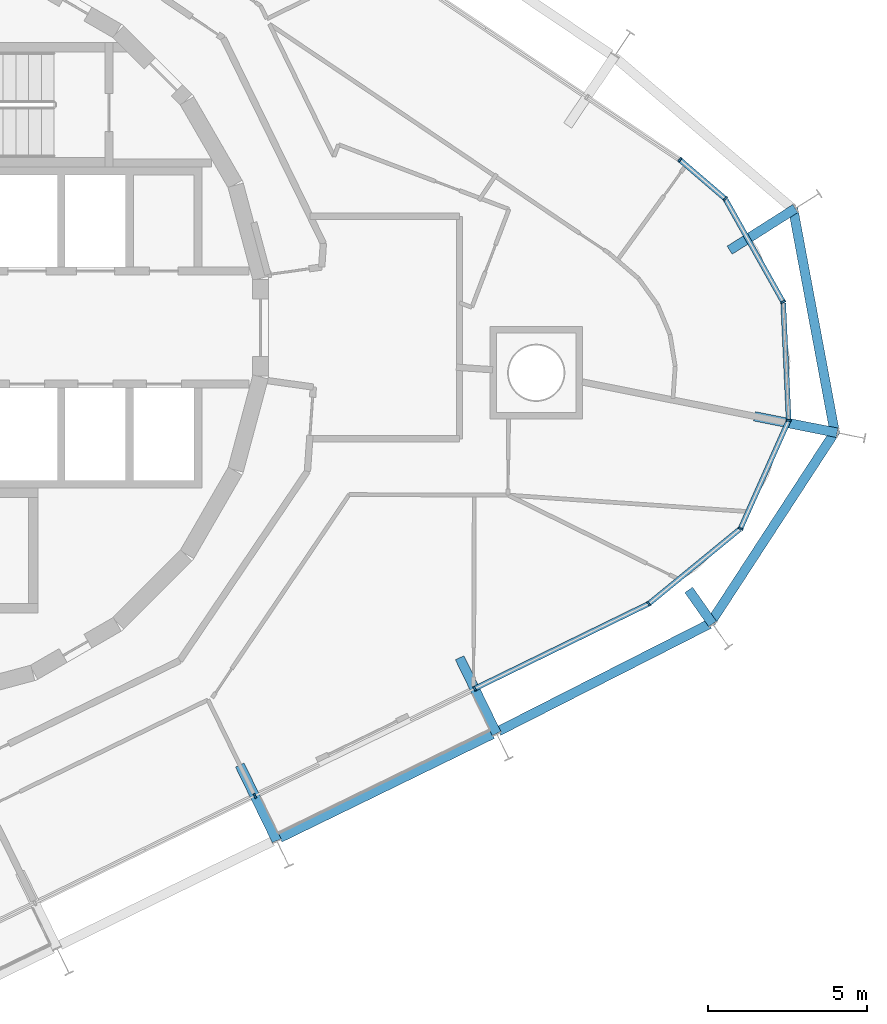
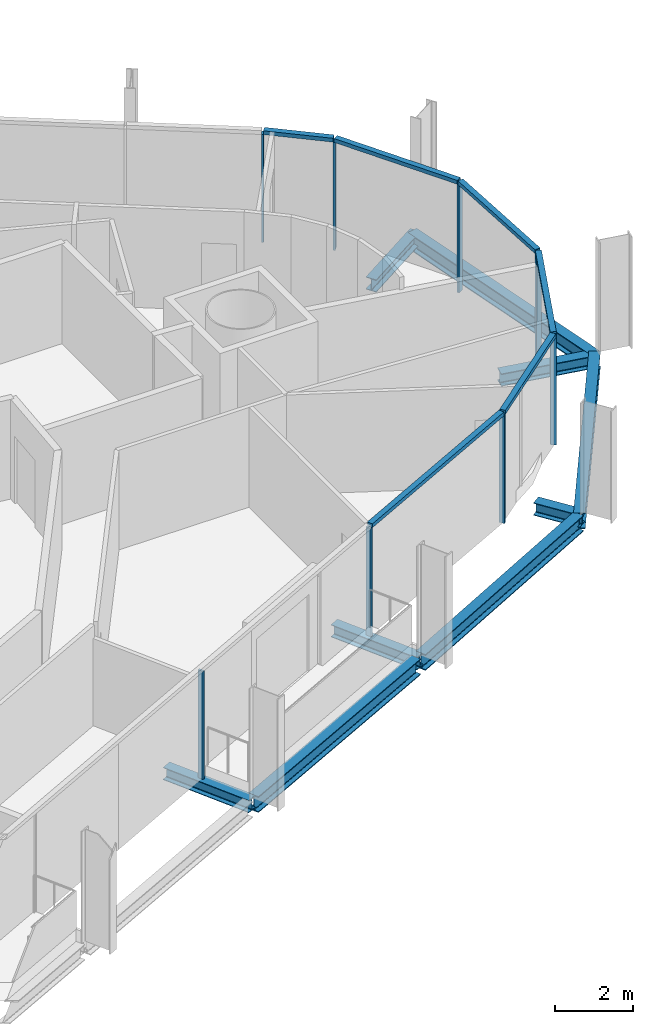
# One storey, part 5 of 18: 14 members, 9 beams, 2 elements without a shape of their own.
"""IFC4 building model written with IfcOpenShell, lengths in metres."""

import ifcopenshell
import ifcopenshell.guid

model = None  # the IFC model being written
_history = None  # IfcOwnerHistory: only IFC2X3 demands one
_inside = {}  # id of a spatial element -> (the spatial element, [elements in it])
_under = {}  # id of a project, library or spatial element -> (it, [spatial elements below it])
_declared = {}  # id of a project -> (the project, [libraries it declares])
_typed = {}  # id of a type object -> (the type object, [elements of that type])
_made_of = {}  # id of a material, layer set ... -> (it, [elements and type objects made of it])


def new_model(schema):
    """Start an empty IFC model of exactly this schema.

    Asked for "IFC4X3", IfcOpenShell would pick the latest addendum, in which some entities
    have other attributes; the version numbers below select the first issue.
    IFC2X3 requires an IfcOwnerHistory on every rooted entity: one is made here for all.
    """
    global model, _history
    if schema == "IFC4X3":
        model = ifcopenshell.file(schema_version=(4, 3, 0, 0))
    else:
        model = ifcopenshell.file(schema=schema)
    _inside.clear()
    _under.clear()
    _declared.clear()
    _typed.clear()
    _made_of.clear()
    _history = None
    if model.schema == "IFC2X3":
        org = make("IfcOrganization", Name="unknown")
        user = make(
            "IfcPersonAndOrganization",
            ThePerson=make("IfcPerson", FamilyName="unknown"),
            TheOrganization=org,
        )
        app = make(
            "IfcApplication",
            ApplicationDeveloper=org,
            Version="unknown",
            ApplicationFullName="unknown",
            ApplicationIdentifier="unknown",
        )
        _history = make(
            "IfcOwnerHistory",
            OwningUser=user,
            OwningApplication=app,
            ChangeAction="ADDED",
            CreationDate=0,
        )
    return model


def make(cls, **values):
    """One entity of the class cls with the attributes given. An attribute that is None is left unset."""
    return model.create_entity(
        cls, **{name: value for name, value in values.items() if value is not None}
    )


def rooted(cls, **values):
    """An entity with a GlobalId (a new one), such as an element, a storey or a relation."""
    return make(cls, GlobalId=ifcopenshell.guid.new(), OwnerHistory=_history, **values)


def si_unit(unit_type, name, prefix=None):
    """IfcSIUnit, for example si_unit("LENGTHUNIT", "METRE", prefix="MILLI")."""
    return make("IfcSIUnit", UnitType=unit_type, Prefix=prefix, Name=name)


def assignment(units):
    """IfcUnitAssignment: the units of a project."""
    return None if units is None else make("IfcUnitAssignment", Units=units)


def point(xyz):
    """IfcCartesianPoint."""
    return None if xyz is None else make("IfcCartesianPoint", Coordinates=xyz)


def direction(xyz):
    """IfcDirection."""
    return None if xyz is None else make("IfcDirection", DirectionRatios=xyz)


def frame(location, z_axis=None, x_axis=None):
    """IfcAxis2Placement3D, a coordinate frame: its origin and axes. An axis left out is left unset."""
    return make(
        "IfcAxis2Placement3D",
        Location=point(location),
        Axis=direction(z_axis),
        RefDirection=direction(x_axis),
    )


def frame_2d(location, x_axis=None):
    """IfcAxis2Placement2D, a coordinate frame in the plane: its origin and x axis."""
    return make(
        "IfcAxis2Placement2D", Location=point(location), RefDirection=direction(x_axis)
    )


def origin():
    """The frame at (0, 0, 0) with its axes left unset."""
    return frame((0.0, 0.0, 0.0))


def origin_2d():
    """The frame at (0, 0) in the plane with its x axis left unset."""
    return frame_2d((0.0, 0.0))


def place(relative_to, where):
    """IfcLocalPlacement: puts the frame where relative to a parent placement (None: the world)."""
    return make(
        "IfcLocalPlacement", PlacementRelTo=relative_to, RelativePlacement=where
    )


def context(
    kind, dimensions, precision=None, world=None, true_north=None, identifier=None
):
    """IfcGeometricRepresentationContext, for example the 3D "Model" context."""
    return make(
        "IfcGeometricRepresentationContext",
        ContextIdentifier=identifier,
        ContextType=kind,
        CoordinateSpaceDimension=dimensions,
        Precision=precision,
        WorldCoordinateSystem=world,
        TrueNorth=true_north,
    )


def subcontext(parent, identifier, kind, view, scale=None):
    """IfcGeometricRepresentationSubContext, for example "Body" below "Model"."""
    return make(
        "IfcGeometricRepresentationSubContext",
        ContextIdentifier=identifier,
        ContextType=kind,
        ParentContext=parent,
        TargetScale=scale,
        TargetView=view,
    )


def project(units=None, contexts=None):
    """IfcProject with its units and contexts."""
    return rooted(
        "IfcProject",
        Name="project",
        RepresentationContexts=contexts,
        UnitsInContext=assignment(units),
    )


def spatial(cls, under=None, at=None, **own):
    """A site, building, storey or space (cls), placed at a placement, below another one or the project."""
    s = rooted(cls, ObjectPlacement=at, **own)
    if under is not None:
        _under.setdefault(under.id(), (under, []))[1].append(s)
    return s


def profile(cls, at=None, kind="AREA", **sizes):
    """A parametric profile (cls). Its sizes go by their IFC names, for example OverallWidth=200.0."""
    return make(cls, ProfileType=kind, Position=at, **sizes)


def rectangle(**sizes):
    """IfcRectangleProfileDef."""
    return profile("IfcRectangleProfileDef", **sizes)


def i_section(**sizes):
    """IfcIShapeProfileDef."""
    return profile("IfcIShapeProfileDef", **sizes)


def extrude(swept, where, along, depth):
    """IfcExtrudedAreaSolid: the profile swept, set in the frame where, extruded along a direction by depth."""
    return make(
        "IfcExtrudedAreaSolid",
        SweptArea=swept,
        Position=where,
        ExtrudedDirection=direction(along),
        Depth=depth,
    )


def shape(context_of_items, identifier, shape_type, items):
    """IfcShapeRepresentation: the items that make up one representation, for example the "Body"."""
    return make(
        "IfcShapeRepresentation",
        ContextOfItems=context_of_items,
        RepresentationIdentifier=identifier,
        RepresentationType=shape_type,
        Items=items,
    )


def material(Name=None, Category=None):
    """IfcMaterial."""
    return make("IfcMaterial", Name=Name, Category=Category)


def layer(
    of_material, thickness, ventilated=None, Name=None, Category=None, Priority=None
):
    """IfcMaterialLayer: one layer of a wall or slab, of a material (None: an air gap)."""
    return make(
        "IfcMaterialLayer",
        Material=of_material,
        LayerThickness=thickness,
        IsVentilated=ventilated,
        Name=Name,
        Category=Category,
        Priority=Priority,
    )


def layer_set(layers, Name=None):
    """IfcMaterialLayerSet."""
    return make("IfcMaterialLayerSet", MaterialLayers=layers, LayerSetName=Name)


def material_profile(
    of_material, cross_section, Name=None, Category=None, Priority=None
):
    """IfcMaterialProfile: a cross section and its material."""
    return make(
        "IfcMaterialProfile",
        Name=Name,
        Material=of_material,
        Profile=cross_section,
        Priority=Priority,
        Category=Category,
    )


def profile_set(profiles, Name=None, composite=None):
    """IfcMaterialProfileSet."""
    return make(
        "IfcMaterialProfileSet",
        Name=Name,
        MaterialProfiles=profiles,
        CompositeProfile=composite,
    )


def made_of(thing, what):
    """Note that an element or type object is made of a material, layer set ...; save() writes the relation."""
    if what is not None:
        _made_of.setdefault(what.id(), (what, []))[1].append(thing)
    return thing


def type_object(cls, material=None, **own):
    """A type object (cls), such as IfcWallType, which elements share."""
    return made_of(rooted(cls, **own), material)


def element(
    cls,
    number,
    at=None,
    inside=None,
    cuts=None,
    type_object=None,
    material=None,
    context=None,
    identifier="Body",
    shape_type=None,
    held_by="IfcProductDefinitionShape",
    body=None,
    shapes=None,
    **own,
):
    """One element of the class cls, such as IfcWall. Its Tag is "e" and its number.

    at: its placement. inside: the storey or other place that contains it. cuts: it is an
    opening in that element (IfcRelVoidsElement). A single representation is given by context,
    identifier, shape_type and body (its items); several are given by shapes. held_by: the class
    of the entity that holds the representations. save() writes the other relations.
    """
    e = rooted(cls, Tag="e%d" % number, ObjectPlacement=at, **own)
    if body is not None:
        shapes = [shape(context, identifier, shape_type, body)]
    if shapes is not None:
        e.Representation = make(held_by, Representations=shapes)
    if inside is not None:
        _inside.setdefault(inside.id(), (inside, []))[1].append(e)
    if cuts is not None:
        rooted(
            "IfcRelVoidsElement", RelatingBuildingElement=cuts, RelatedOpeningElement=e
        )
    if type_object is not None:
        _typed.setdefault(type_object.id(), (type_object, []))[1].append(e)
    return made_of(e, material)


def aggregate(whole, parts):
    """IfcRelAggregates: a whole, such as a stair, and the parts it consists of."""
    return rooted("IfcRelAggregates", RelatingObject=whole, RelatedObjects=parts)


def save(model, path):
    """Write the relations noted so far, then the file.

    IfcRelAggregates (storeys below a building ...), IfcRelContainedInSpatialStructure (elements
    in a storey), IfcRelDefinesByType, IfcRelAssociatesMaterial and IfcRelDeclares: one each for
    every whole, place, type object, material and project.
    """
    for whole, parts in _under.values():
        aggregate(whole, parts)
    for where, things in _inside.values():
        rooted(
            "IfcRelContainedInSpatialStructure",
            RelatedElements=things,
            RelatingStructure=where,
        )
    for kind, things in _typed.values():
        rooted("IfcRelDefinesByType", RelatedObjects=things, RelatingType=kind)
    for what, things in _made_of.values():
        rooted("IfcRelAssociatesMaterial", RelatedObjects=things, RelatingMaterial=what)
    for by, libraries in _declared.values():
        rooted("IfcRelDeclares", RelatingContext=by, RelatedDefinitions=libraries)
    model.write(path)


model = new_model("IFC4")

# Units and contexts
model_context = context("Model", 3, precision=1e-05, world=origin(), true_north=direction((0.0, 1.0)))
body_context = subcontext(model_context, "Body", "Model", "MODEL_VIEW")
ifc_project = project(units=[si_unit("LENGTHUNIT", "METRE"), si_unit("AREAUNIT", "SQUARE_METRE"), si_unit("VOLUMEUNIT", "CUBIC_METRE"), si_unit("PLANEANGLEUNIT", "RADIAN"), si_unit("MASSUNIT", "GRAM", prefix="KILO")], contexts=[model_context])

# Site, building, storey
site_placement = place(None, origin())
site = spatial("IfcSite", under=ifc_project, at=site_placement, CompositionType="ELEMENT")
building_placement = place(site_placement, origin())
building = spatial("IfcBuilding", under=site, at=building_placement, Name="Spindle Arch Residences", CompositionType="ELEMENT")
storey_placement = place(building_placement, frame((0.0, 0.0, 195.39990234375)))
storey = spatial("IfcBuildingStorey", under=building, at=storey_placement, Name="L49", CompositionType="ELEMENT", Elevation=195.39990234375)

# Curtain wall, members
ifc_material_1 = material(Name="Aluminium bronze unitised frame with tinted glass", Category="aluminium")
ifc_layer_1 = layer(ifc_material_1, 0.159912109375)
ifc_layer_set_1 = layer_set([ifc_layer_1], Name="CW-D corner wall on the fillet arcs")
curtain_wall_type_1 = type_object("IfcCurtainWallType", Name="CW-D corner wall on the fillet arcs", PredefinedType="NOTDEFINED", material=ifc_layer_set_1)
curtain_wall_1_placement = place(storey_placement, origin())
curtain_wall_1 = element("IfcCurtainWall", 1, at=curtain_wall_1_placement, inside=storey, type_object=curtain_wall_type_1, Name="CW-D L49 run 1", PredefinedType="NOTDEFINED")
ifc_material_2 = material(Name="Aluminium bronze anodised mullion", Category="aluminium")
ifc_material_profile_1 = material_profile(ifc_material_2, rectangle(XDim=0.159912109375, YDim=0.06005859375, at=origin_2d()), Name="MU 60x160")
ifc_profile_set_1 = profile_set([ifc_material_profile_1], Name="Aluminium bronze anodised mullion")
member_type_1 = type_object("IfcMemberType", Name="Bronze mullion 60x160", PredefinedType="MULLION", material=ifc_profile_set_1)
member_1_placement = place(storey_placement, frame((18.377685546875, -11.353515625, -0.3798828125), z_axis=(0.0, 0.0, 1.0), x_axis=(-0.438371146789, 0.898794046299, 0.0)))
member_1 = element("IfcMember", 2, at=member_1_placement, type_object=member_type_1, Name="CW-D mullion 00", PredefinedType="MULLION", context=body_context, shape_type="SweptSolid", body=[
    extrude(rectangle(XDim=0.159912109375, YDim=0.06005859375, at=origin_2d()), origin(), (0.0, 0.0, 1.0), 3.3798828125),
])
member_2_placement = place(storey_placement, frame((23.85400390625, -8.6826171875, -0.3798828125), z_axis=(0.0, 0.0, 1.0), x_axis=(-0.633830963722, 0.773471595747, 0.0)))
member_2 = element("IfcMember", 3, at=member_2_placement, type_object=member_type_1, Name="CW-D mullion 01", PredefinedType="MULLION", context=body_context, shape_type="SweptSolid", body=[
    extrude(rectangle(XDim=0.159912109375, YDim=0.06005859375, at=origin_2d()), origin(), (0.0, 0.0, 1.0), 3.3798828125),
])
member_3_placement = place(storey_placement, frame((26.736572265625, -6.320556640625, -0.3798828125), z_axis=(0.0, 0.0, 1.0), x_axis=(-0.913545457934, 0.406736642422, 0.0)))
member_3 = element("IfcMember", 4, at=member_3_placement, type_object=member_type_1, Name="CW-D mullion 02", PredefinedType="MULLION", context=body_context, shape_type="SweptSolid", body=[
    extrude(rectangle(XDim=0.159912109375, YDim=0.06005859375, at=origin_2d()), origin(), (0.0, 0.0, 1.0), 3.3798828125),
])
member_4_placement = place(storey_placement, frame((28.252197265625, -2.916015625, -0.3798828125), z_axis=(0.0, 0.0, 1.0), x_axis=(-0.99891711126, -0.046525313877, 0.0)))
member_4 = element("IfcMember", 5, at=member_4_placement, type_object=member_type_1, Name="CW-D mullion 03", PredefinedType="MULLION", context=body_context, shape_type="SweptSolid", body=[
    extrude(rectangle(XDim=0.159912109375, YDim=0.06005859375, at=origin_2d()), origin(), (0.0, 0.0, 1.0), 3.3798828125),
])
member_5_placement = place(storey_placement, frame((28.078857421875, 0.806884765625, -0.3798828125), z_axis=(0.0, 0.0, 1.0), x_axis=(-0.871784414743, -0.489889716377, 0.0)))
member_5 = element("IfcMember", 6, at=member_5_placement, type_object=member_type_1, Name="CW-D mullion 04", PredefinedType="MULLION", context=body_context, shape_type="SweptSolid", body=[
    extrude(rectangle(XDim=0.159912109375, YDim=0.06005859375, at=origin_2d()), origin(), (0.0, 0.0, 1.0), 3.3798828125),
])
member_6_placement = place(storey_placement, frame((26.253173828125, 4.0556640625, -0.3798828125), z_axis=(0.0, 0.0, 1.0), x_axis=(-0.651657229382, -0.758513582867, 0.0)))
member_6 = element("IfcMember", 7, at=member_6_placement, type_object=member_type_1, Name="CW-D mullion 05", PredefinedType="MULLION", context=body_context, shape_type="SweptSolid", body=[
    extrude(rectangle(XDim=0.159912109375, YDim=0.06005859375, at=origin_2d()), origin(), (0.0, 0.0, 1.0), 3.3798828125),
])
member_7_placement = place(storey_placement, frame((24.830078125, 5.2783203125, -0.3798828125), z_axis=(0.0, 0.0, 1.0), x_axis=(-0.559192903471, -0.829037572555, 0.0)))
member_7 = element("IfcMember", 8, at=member_7_placement, type_object=member_type_1, Name="CW-D mullion 06", PredefinedType="MULLION", context=body_context, shape_type="SweptSolid", body=[
    extrude(rectangle(XDim=0.159912109375, YDim=0.06005859375, at=origin_2d()), origin(), (0.0, 0.0, 1.0), 3.3798828125),
])

# Curtain wall, member
ifc_material_3 = material(Name="Aluminium bronze unitised frame with tinted glass", Category="aluminium")
ifc_layer_2 = layer(ifc_material_3, 0.159912109375)
ifc_layer_set_2 = layer_set([ifc_layer_2], Name="CW-C typical residential unitised wall")
curtain_wall_type_2 = type_object("IfcCurtainWallType", Name="CW-C typical residential unitised wall", PredefinedType="NOTDEFINED", material=ifc_layer_set_2)
curtain_wall_2_placement = place(storey_placement, origin())
curtain_wall_2 = element("IfcCurtainWall", 9, at=curtain_wall_2_placement, inside=storey, type_object=curtain_wall_type_2, Name="CW-C L49 run 6", PredefinedType="NOTDEFINED")
member_8_placement = place(storey_placement, frame((11.46240234375, -14.726318359375, -0.3798828125), z_axis=(0.0, 0.0, 1.0), x_axis=(-0.438371146789, 0.898794046299, 0.0)))
member_8 = element("IfcMember", 10, at=member_8_placement, type_object=member_type_1, Name="CW-C mullion 00", PredefinedType="MULLION", context=body_context, shape_type="SweptSolid", body=[
    extrude(rectangle(XDim=0.159912109375, YDim=0.06005859375, at=origin_2d()), origin(), (0.0, 0.0, 1.0), 3.3798828125),
])
aggregate(curtain_wall_2, [member_8])

# Member
ifc_material_4 = material(Name="Aluminium bronze anodised transom", Category="aluminium")
ifc_material_profile_2 = material_profile(ifc_material_4, rectangle(XDim=0.159912109375, YDim=0.1201171875, at=origin_2d()), Name="TR 120x160")
ifc_profile_set_2 = profile_set([ifc_material_profile_2], Name="Aluminium bronze anodised transom")
member_type_2 = type_object("IfcMemberType", Name="Bronze transom 120x160", PredefinedType="USERDEFINED", material=ifc_profile_set_2)
member_9_placement = place(storey_placement, frame((18.404541015625, -11.340576171875, 3.06005859375), z_axis=(0.898786724344, 0.438386158704, 0.0), x_axis=(-0.438386158704, 0.898786724344, 0.0)))
member_9 = element("IfcMember", 11, at=member_9_placement, type_object=member_type_2, Name="CW-D transom 00", ObjectType="TRANSOM", PredefinedType="USERDEFINED", context=body_context, shape_type="SweptSolid", body=[
    extrude(rectangle(XDim=0.159912109375, YDim=0.1201171875, at=origin_2d()), origin(), (0.0, 0.0, 1.0), 6.032958984375),
])

member_10_placement = place(storey_placement, frame((23.877197265625, -8.66357421875, 3.06005859375), z_axis=(0.773494307947, 0.633803246737, 0.0), x_axis=(-0.633803246737, 0.773494307947, 0.0)))
member_10 = element("IfcMember", 12, at=member_10_placement, type_object=member_type_2, Name="CW-D transom 01", ObjectType="TRANSOM", PredefinedType="USERDEFINED", context=body_context, shape_type="SweptSolid", body=[
    extrude(rectangle(XDim=0.159912109375, YDim=0.1201171875, at=origin_2d()), origin(), (0.0, 0.0, 1.0), 3.666748046875),
])

member_11_placement = place(storey_placement, frame((26.748779296875, -6.29296875, 3.06005859375), z_axis=(0.406706770356, 0.913558757249, 0.0), x_axis=(-0.913558757249, 0.406706770356, 0.0)))
member_11 = element("IfcMember", 13, at=member_11_placement, type_object=member_type_2, Name="CW-D transom 02", ObjectType="TRANSOM", PredefinedType="USERDEFINED", context=body_context, shape_type="SweptSolid", body=[
    extrude(rectangle(XDim=0.159912109375, YDim=0.1201171875, at=origin_2d()), origin(), (0.0, 0.0, 1.0), 3.66650390625),
])

member_12_placement = place(storey_placement, frame((28.2509765625, -2.885986328125, 3.06005859375), z_axis=(-0.046540197037, 0.998916417955, 0.0), x_axis=(-0.998916417955, -0.046540197037, 0.0)))
member_12 = element("IfcMember", 14, at=member_12_placement, type_object=member_type_2, Name="CW-D transom 03", ObjectType="TRANSOM", PredefinedType="USERDEFINED", context=body_context, shape_type="SweptSolid", body=[
    extrude(rectangle(XDim=0.159912109375, YDim=0.1201171875, at=origin_2d()), origin(), (0.0, 0.0, 1.0), 3.666748046875),
])

member_13_placement = place(storey_placement, frame((28.064208984375, 0.8330078125, 3.06005859375), z_axis=(-0.489916630118, 0.871769290314, 0.0), x_axis=(-0.871769290314, -0.489916630118, 0.0)))
member_13 = element("IfcMember", 15, at=member_13_placement, type_object=member_type_2, Name="CW-D transom 04", ObjectType="TRANSOM", PredefinedType="USERDEFINED", context=body_context, shape_type="SweptSolid", body=[
    extrude(rectangle(XDim=0.159912109375, YDim=0.1201171875, at=origin_2d()), origin(), (0.0, 0.0, 1.0), 3.666748046875),
])

member_14_placement = place(storey_placement, frame((26.23046875, 4.0751953125, 3.06005859375), z_axis=(-0.758458936913, 0.651720830584, 0.0), x_axis=(-0.651720830584, -0.758458936913, 0.0)))
member_14 = element("IfcMember", 16, at=member_14_placement, type_object=member_type_2, Name="CW-D transom 05", ObjectType="TRANSOM", PredefinedType="USERDEFINED", context=body_context, shape_type="SweptSolid", body=[
    extrude(rectangle(XDim=0.159912109375, YDim=0.1201171875, at=origin_2d()), origin(), (0.0, 0.0, 1.0), 1.816162109375),
])

aggregate(curtain_wall_1, [member_1, member_9, member_2, member_10, member_3, member_11, member_4, member_12, member_5, member_13, member_6, member_14, member_7])

# Beams
ifc_material_5 = material(Name="Steel S460ML, intumescent coating R 120", Category="steel")
ifc_material_profile_3 = material_profile(ifc_material_5, i_section(OverallWidth=0.300048828125, OverallDepth=0.5, WebThickness=0.014404296875, FlangeThickness=0.028076171875, FilletRadius=0.027099609375, at=origin_2d()), Name="HEB 500")
ifc_profile_set_3 = profile_set([ifc_material_profile_3], Name="Steel S460ML, intumescent coating R 120")
beam_type_1 = type_object("IfcBeamType", Name="Exoskeleton edge beam HEB 500", PredefinedType="BEAM", material=ifc_profile_set_3)
beam_1_placement = place(storey_placement, frame((12.25, -16.04443359375, -0.6298828125), z_axis=(0.898804110297, 0.438350511935, 0.0), x_axis=(-0.438350511935, 0.898804110297, 0.0)))
element("IfcBeam", 17, at=beam_1_placement, inside=storey, type_object=beam_type_1, Name="Exoskeleton edge beam 1", PredefinedType="BEAM", context=body_context, shape_type="SweptSolid", body=[
    extrude(i_section(OverallWidth=0.300048828125, OverallDepth=0.5, WebThickness=0.014404296875, FlangeThickness=0.028076171875, FilletRadius=0.027099609375, at=origin_2d()), origin(), (0.0, 0.0, 1.0), 7.43359375),
])
beam_2_placement = place(storey_placement, frame((19.1298828125, -12.688232421875, -0.6298828125), z_axis=(0.891456240157, 0.453106799646, 0.0), x_axis=(-0.453106799646, 0.891456240157, 0.0)))
element("IfcBeam", 18, at=beam_2_placement, inside=storey, type_object=beam_type_1, Name="Exoskeleton edge beam 2", PredefinedType="BEAM", context=body_context, shape_type="SweptSolid", body=[
    extrude(i_section(OverallWidth=0.300048828125, OverallDepth=0.5, WebThickness=0.014404296875, FlangeThickness=0.028076171875, FilletRadius=0.027099609375, at=origin_2d()), origin(), (0.0, 0.0, 1.0), 7.427978515625),
])
beam_3_placement = place(storey_placement, frame((25.777099609375, -9.30908203125, -0.6298828125), z_axis=(0.546059217501, 0.837746579212, 0.0), x_axis=(-0.837746579212, 0.546059217501, 0.0)))
element("IfcBeam", 19, at=beam_3_placement, inside=storey, type_object=beam_type_1, Name="Exoskeleton edge beam 3", PredefinedType="BEAM", context=body_context, shape_type="SweptSolid", body=[
    extrude(i_section(OverallWidth=0.300048828125, OverallDepth=0.5, WebThickness=0.014404296875, FlangeThickness=0.028076171875, FilletRadius=0.027099609375, at=origin_2d()), origin(), (0.0, 0.0, 1.0), 7.249267578125),
])
beam_4_placement = place(storey_placement, frame((29.71142578125, -3.356689453125, -0.6298828125), z_axis=(-0.183047966733, 0.983103983246, 0.0), x_axis=(-0.983103983246, -0.183047966733, 0.0)))
element("IfcBeam", 20, at=beam_4_placement, inside=storey, type_object=beam_type_1, Name="Exoskeleton edge beam 4", PredefinedType="BEAM", context=body_context, shape_type="SweptSolid", body=[
    extrude(i_section(OverallWidth=0.300048828125, OverallDepth=0.5, WebThickness=0.014404296875, FlangeThickness=0.028076171875, FilletRadius=0.027099609375, at=origin_2d()), origin(), (0.0, 0.0, 1.0), 7.2490234375),
])
ifc_material_6 = material(Name="Steel S460ML, intumescent coating R 120", Category="steel")
ifc_material_profile_4 = material_profile(ifc_material_6, i_section(OverallWidth=0.300048828125, OverallDepth=0.389892578125, WebThickness=0.010986328125, FlangeThickness=0.01904296875, FilletRadius=0.027099609375, at=origin_2d()), Name="HEA 400")
ifc_profile_set_4 = profile_set([ifc_material_profile_4], Name="Steel S460ML, intumescent coating R 120")
beam_type_2 = type_object("IfcBeamType", Name="Floor outrigger HEA 400", PredefinedType="BEAM", material=ifc_profile_set_4)
beam_5_placement = place(storey_placement, frame((12.150634765625, -16.137451171875, -0.574951171875), z_axis=(-0.438347395329, 0.898805630272, 0.0), x_axis=(-0.898805630272, -0.438347395329, 0.0)))
element("IfcBeam", 21, at=beam_5_placement, inside=storey, type_object=beam_type_2, Name="Floor outrigger 1", PredefinedType="BEAM", context=body_context, shape_type="SweptSolid", body=[
    extrude(i_section(OverallWidth=0.300048828125, OverallDepth=0.389892578125, WebThickness=0.010986328125, FlangeThickness=0.01904296875, FilletRadius=0.027099609375, at=origin_2d()), origin(), (0.0, 0.0, 1.0), 2.64990234375),
])
beam_6_placement = place(storey_placement, frame((19.06591796875, -12.7646484375, -0.574951171875), z_axis=(-0.438421816972, 0.898769331032, 0.0), x_axis=(-0.898769331032, -0.438421816972, 0.0)))
element("IfcBeam", 22, at=beam_6_placement, inside=storey, type_object=beam_type_2, Name="Floor outrigger 2", PredefinedType="BEAM", context=body_context, shape_type="SweptSolid", body=[
    extrude(i_section(OverallWidth=0.300048828125, OverallDepth=0.389892578125, WebThickness=0.010986328125, FlangeThickness=0.01904296875, FilletRadius=0.027099609375, at=origin_2d()), origin(), (0.0, 0.0, 1.0), 2.650146484375),
])
beam_7_placement = place(storey_placement, frame((25.858154296875, -9.3173828125, -0.574951171875), z_axis=(-0.574827287121, 0.818274764356, 0.0), x_axis=(-0.818274764356, -0.574827287121, 0.0)))
element("IfcBeam", 23, at=beam_7_placement, inside=storey, type_object=beam_type_2, Name="Floor outrigger 3", PredefinedType="BEAM", context=body_context, shape_type="SweptSolid", body=[
    extrude(i_section(OverallWidth=0.300048828125, OverallDepth=0.389892578125, WebThickness=0.010986328125, FlangeThickness=0.01904296875, FilletRadius=0.027099609375, at=origin_2d()), origin(), (0.0, 0.0, 1.0), 1.3076171875),
])
beam_8_placement = place(storey_placement, frame((29.775634765625, -3.306884765625, -0.574951171875), z_axis=(-0.980704498332, 0.195496002392, 0.0), x_axis=(-0.195496002392, -0.980704498332, 0.0)))
element("IfcBeam", 24, at=beam_8_placement, inside=storey, type_object=beam_type_2, Name="Floor outrigger 4", PredefinedType="BEAM", context=body_context, shape_type="SweptSolid", body=[
    extrude(i_section(OverallWidth=0.300048828125, OverallDepth=0.389892578125, WebThickness=0.010986328125, FlangeThickness=0.01904296875, FilletRadius=0.027099609375, at=origin_2d()), origin(), (0.0, 0.0, 1.0), 2.64990234375),
])
beam_9_placement = place(storey_placement, frame((28.46240234375, 3.746337890625, -0.574951171875), z_axis=(-0.844575652312, -0.535436240388, 0.0), x_axis=(0.535436240388, -0.844575652312, 0.0)))
element("IfcBeam", 25, at=beam_9_placement, inside=storey, type_object=beam_type_2, Name="Floor outrigger 5", PredefinedType="BEAM", context=body_context, shape_type="SweptSolid", body=[
    extrude(i_section(OverallWidth=0.300048828125, OverallDepth=0.389892578125, WebThickness=0.010986328125, FlangeThickness=0.01904296875, FilletRadius=0.027099609375, at=origin_2d()), origin(), (0.0, 0.0, 1.0), 2.448974609375),
])

save(model, "model.ifc")
